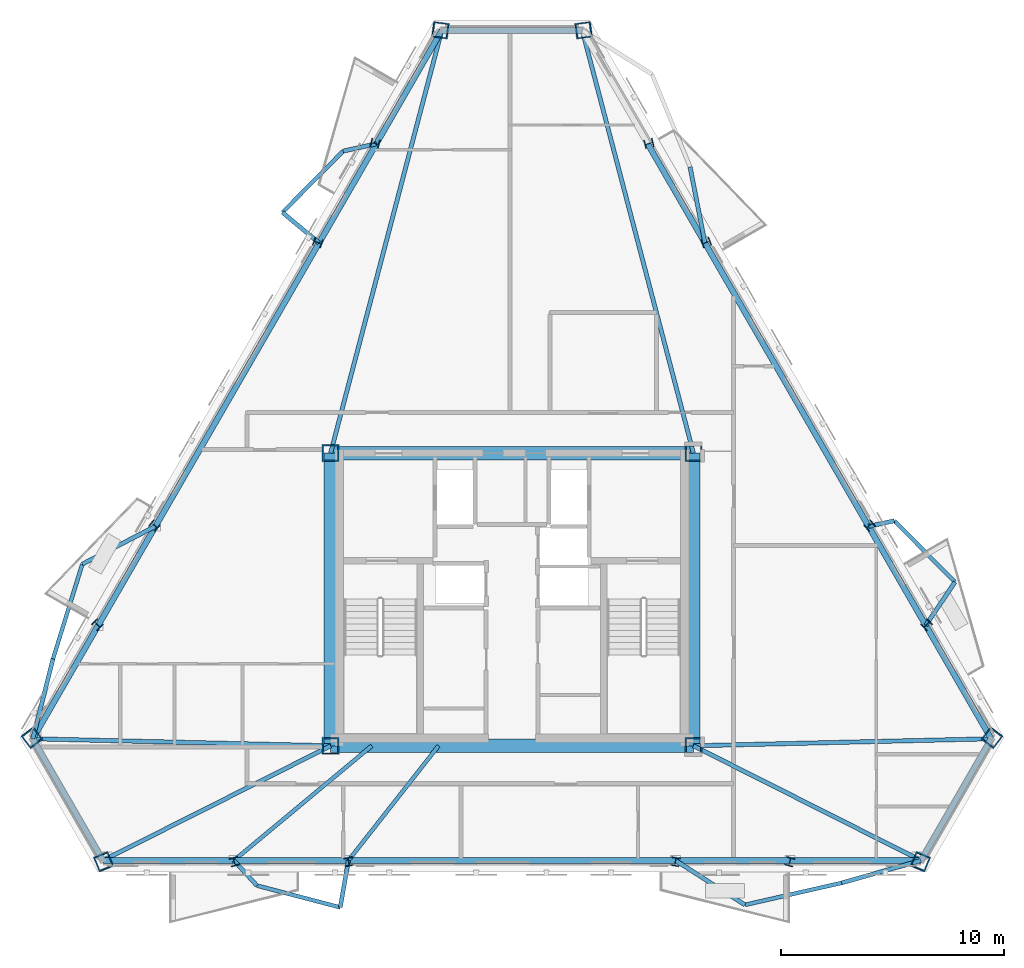
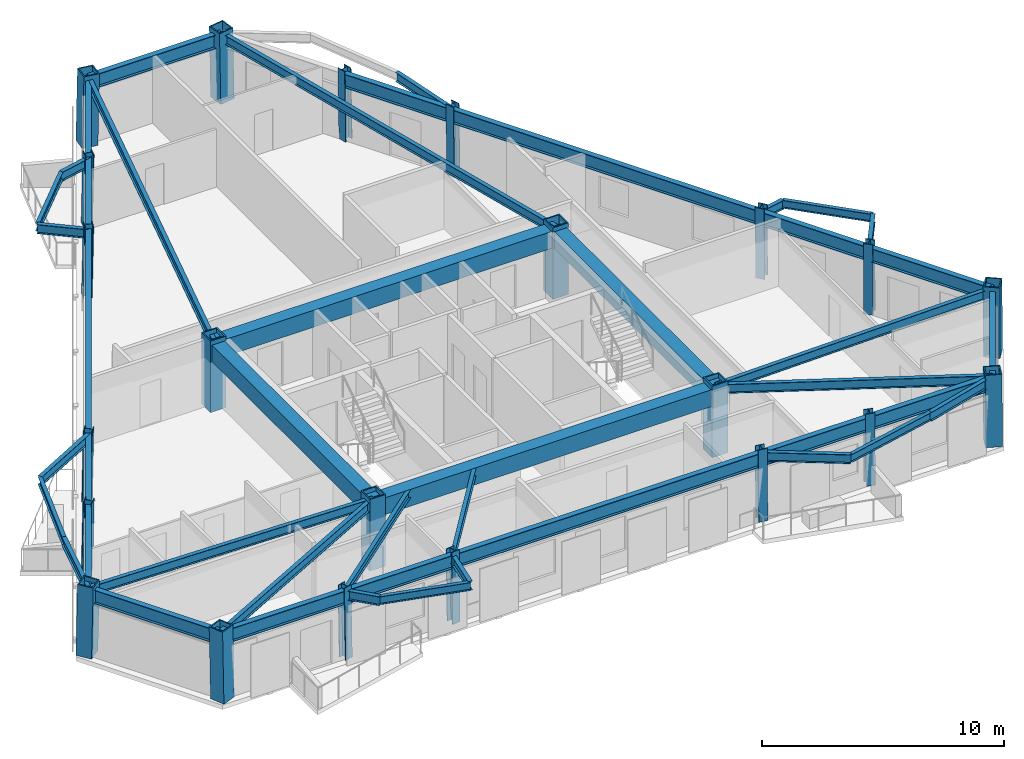
# One storey, part 1 of 9: 45 beams, 22 columns.
"""IFC4 building model written with IfcOpenShell, lengths in metres."""

import ifcopenshell
import ifcopenshell.guid

model = None  # the IFC model being written
_history = None  # IfcOwnerHistory: only IFC2X3 demands one
_inside = {}  # id of a spatial element -> (the spatial element, [elements in it])
_under = {}  # id of a project, library or spatial element -> (it, [spatial elements below it])
_declared = {}  # id of a project -> (the project, [libraries it declares])
_typed = {}  # id of a type object -> (the type object, [elements of that type])
_made_of = {}  # id of a material, layer set ... -> (it, [elements and type objects made of it])


def new_model(schema):
    """Start an empty IFC model of exactly this schema.

    Asked for "IFC4X3", IfcOpenShell would pick the latest addendum, in which some entities
    have other attributes; the version numbers below select the first issue.
    IFC2X3 requires an IfcOwnerHistory on every rooted entity: one is made here for all.
    """
    global model, _history
    if schema == "IFC4X3":
        model = ifcopenshell.file(schema_version=(4, 3, 0, 0))
    else:
        model = ifcopenshell.file(schema=schema)
    _inside.clear()
    _under.clear()
    _declared.clear()
    _typed.clear()
    _made_of.clear()
    _history = None
    if model.schema == "IFC2X3":
        org = make("IfcOrganization", Name="unknown")
        user = make(
            "IfcPersonAndOrganization",
            ThePerson=make("IfcPerson", FamilyName="unknown"),
            TheOrganization=org,
        )
        app = make(
            "IfcApplication",
            ApplicationDeveloper=org,
            Version="unknown",
            ApplicationFullName="unknown",
            ApplicationIdentifier="unknown",
        )
        _history = make(
            "IfcOwnerHistory",
            OwningUser=user,
            OwningApplication=app,
            ChangeAction="ADDED",
            CreationDate=0,
        )
    return model


def make(cls, **values):
    """One entity of the class cls with the attributes given. An attribute that is None is left unset."""
    return model.create_entity(
        cls, **{name: value for name, value in values.items() if value is not None}
    )


def rooted(cls, **values):
    """An entity with a GlobalId (a new one), such as an element, a storey or a relation."""
    return make(cls, GlobalId=ifcopenshell.guid.new(), OwnerHistory=_history, **values)


def si_unit(unit_type, name, prefix=None):
    """IfcSIUnit, for example si_unit("LENGTHUNIT", "METRE", prefix="MILLI")."""
    return make("IfcSIUnit", UnitType=unit_type, Prefix=prefix, Name=name)


def assignment(units):
    """IfcUnitAssignment: the units of a project."""
    return None if units is None else make("IfcUnitAssignment", Units=units)


def point(xyz):
    """IfcCartesianPoint."""
    return None if xyz is None else make("IfcCartesianPoint", Coordinates=xyz)


def direction(xyz):
    """IfcDirection."""
    return None if xyz is None else make("IfcDirection", DirectionRatios=xyz)


def frame(location, z_axis=None, x_axis=None):
    """IfcAxis2Placement3D, a coordinate frame: its origin and axes. An axis left out is left unset."""
    return make(
        "IfcAxis2Placement3D",
        Location=point(location),
        Axis=direction(z_axis),
        RefDirection=direction(x_axis),
    )


def frame_2d(location, x_axis=None):
    """IfcAxis2Placement2D, a coordinate frame in the plane: its origin and x axis."""
    return make(
        "IfcAxis2Placement2D", Location=point(location), RefDirection=direction(x_axis)
    )


def origin():
    """The frame at (0, 0, 0) with its axes left unset."""
    return frame((0.0, 0.0, 0.0))


def origin_2d():
    """The frame at (0, 0) in the plane with its x axis left unset."""
    return frame_2d((0.0, 0.0))


def place(relative_to, where):
    """IfcLocalPlacement: puts the frame where relative to a parent placement (None: the world)."""
    return make(
        "IfcLocalPlacement", PlacementRelTo=relative_to, RelativePlacement=where
    )


def context(
    kind, dimensions, precision=None, world=None, true_north=None, identifier=None
):
    """IfcGeometricRepresentationContext, for example the 3D "Model" context."""
    return make(
        "IfcGeometricRepresentationContext",
        ContextIdentifier=identifier,
        ContextType=kind,
        CoordinateSpaceDimension=dimensions,
        Precision=precision,
        WorldCoordinateSystem=world,
        TrueNorth=true_north,
    )


def subcontext(parent, identifier, kind, view, scale=None):
    """IfcGeometricRepresentationSubContext, for example "Body" below "Model"."""
    return make(
        "IfcGeometricRepresentationSubContext",
        ContextIdentifier=identifier,
        ContextType=kind,
        ParentContext=parent,
        TargetScale=scale,
        TargetView=view,
    )


def project(units=None, contexts=None):
    """IfcProject with its units and contexts."""
    return rooted(
        "IfcProject",
        Name="project",
        RepresentationContexts=contexts,
        UnitsInContext=assignment(units),
    )


def spatial(cls, under=None, at=None, **own):
    """A site, building, storey or space (cls), placed at a placement, below another one or the project."""
    s = rooted(cls, ObjectPlacement=at, **own)
    if under is not None:
        _under.setdefault(under.id(), (under, []))[1].append(s)
    return s


def profile(cls, at=None, kind="AREA", **sizes):
    """A parametric profile (cls). Its sizes go by their IFC names, for example OverallWidth=200.0."""
    return make(cls, ProfileType=kind, Position=at, **sizes)


def rectangle(**sizes):
    """IfcRectangleProfileDef."""
    return profile("IfcRectangleProfileDef", **sizes)


def hollow_rectangle(**sizes):
    """IfcRectangleHollowProfileDef."""
    return profile("IfcRectangleHollowProfileDef", **sizes)


def i_section(**sizes):
    """IfcIShapeProfileDef."""
    return profile("IfcIShapeProfileDef", **sizes)


def extrude(swept, where, along, depth):
    """IfcExtrudedAreaSolid: the profile swept, set in the frame where, extruded along a direction by depth."""
    return make(
        "IfcExtrudedAreaSolid",
        SweptArea=swept,
        Position=where,
        ExtrudedDirection=direction(along),
        Depth=depth,
    )


def shape(context_of_items, identifier, shape_type, items):
    """IfcShapeRepresentation: the items that make up one representation, for example the "Body"."""
    return make(
        "IfcShapeRepresentation",
        ContextOfItems=context_of_items,
        RepresentationIdentifier=identifier,
        RepresentationType=shape_type,
        Items=items,
    )


def material(Name=None, Category=None):
    """IfcMaterial."""
    return make("IfcMaterial", Name=Name, Category=Category)


def material_profile(
    of_material, cross_section, Name=None, Category=None, Priority=None
):
    """IfcMaterialProfile: a cross section and its material."""
    return make(
        "IfcMaterialProfile",
        Name=Name,
        Material=of_material,
        Profile=cross_section,
        Priority=Priority,
        Category=Category,
    )


def profile_set(profiles, Name=None, composite=None):
    """IfcMaterialProfileSet."""
    return make(
        "IfcMaterialProfileSet",
        Name=Name,
        MaterialProfiles=profiles,
        CompositeProfile=composite,
    )


def made_of(thing, what):
    """Note that an element or type object is made of a material, layer set ...; save() writes the relation."""
    if what is not None:
        _made_of.setdefault(what.id(), (what, []))[1].append(thing)
    return thing


def type_object(cls, material=None, **own):
    """A type object (cls), such as IfcWallType, which elements share."""
    return made_of(rooted(cls, **own), material)


def element(
    cls,
    number,
    at=None,
    inside=None,
    cuts=None,
    type_object=None,
    material=None,
    context=None,
    identifier="Body",
    shape_type=None,
    held_by="IfcProductDefinitionShape",
    body=None,
    shapes=None,
    **own,
):
    """One element of the class cls, such as IfcWall. Its Tag is "e" and its number.

    at: its placement. inside: the storey or other place that contains it. cuts: it is an
    opening in that element (IfcRelVoidsElement). A single representation is given by context,
    identifier, shape_type and body (its items); several are given by shapes. held_by: the class
    of the entity that holds the representations. save() writes the other relations.
    """
    e = rooted(cls, Tag="e%d" % number, ObjectPlacement=at, **own)
    if body is not None:
        shapes = [shape(context, identifier, shape_type, body)]
    if shapes is not None:
        e.Representation = make(held_by, Representations=shapes)
    if inside is not None:
        _inside.setdefault(inside.id(), (inside, []))[1].append(e)
    if cuts is not None:
        rooted(
            "IfcRelVoidsElement", RelatingBuildingElement=cuts, RelatedOpeningElement=e
        )
    if type_object is not None:
        _typed.setdefault(type_object.id(), (type_object, []))[1].append(e)
    return made_of(e, material)


def aggregate(whole, parts):
    """IfcRelAggregates: a whole, such as a stair, and the parts it consists of."""
    return rooted("IfcRelAggregates", RelatingObject=whole, RelatedObjects=parts)


def save(model, path):
    """Write the relations noted so far, then the file.

    IfcRelAggregates (storeys below a building ...), IfcRelContainedInSpatialStructure (elements
    in a storey), IfcRelDefinesByType, IfcRelAssociatesMaterial and IfcRelDeclares: one each for
    every whole, place, type object, material and project.
    """
    for whole, parts in _under.values():
        aggregate(whole, parts)
    for where, things in _inside.values():
        rooted(
            "IfcRelContainedInSpatialStructure",
            RelatedElements=things,
            RelatingStructure=where,
        )
    for kind, things in _typed.values():
        rooted("IfcRelDefinesByType", RelatedObjects=things, RelatingType=kind)
    for what, things in _made_of.values():
        rooted("IfcRelAssociatesMaterial", RelatedObjects=things, RelatingMaterial=what)
    for by, libraries in _declared.values():
        rooted("IfcRelDeclares", RelatingContext=by, RelatedDefinitions=libraries)
    model.write(path)


model = new_model("IFC4")

# Units and contexts
model_context = context("Model", 3, precision=1e-05, world=origin(), true_north=direction((0.0, 1.0)))
body_context = subcontext(model_context, "Body", "Model", "MODEL_VIEW")
ifc_project = project(units=[si_unit("LENGTHUNIT", "METRE"), si_unit("AREAUNIT", "SQUARE_METRE"), si_unit("VOLUMEUNIT", "CUBIC_METRE"), si_unit("PLANEANGLEUNIT", "RADIAN"), si_unit("MASSUNIT", "GRAM", prefix="KILO")], contexts=[model_context])

# Site, building, storey
site_placement = place(None, origin())
site = spatial("IfcSite", under=ifc_project, at=site_placement, CompositionType="ELEMENT")
building_placement = place(site_placement, origin())
building = spatial("IfcBuilding", under=site, at=building_placement, Name="Oramaril Tower", CompositionType="ELEMENT")
storey_placement = place(building_placement, frame((0.0, 0.0, 223.5)))
storey = spatial("IfcBuildingStorey", under=building, at=storey_placement, Name="L59", CompositionType="ELEMENT", Elevation=223.5)

# Columns
ifc_material_1 = material(Name="Steel ASTM A572 Gr 50", Category="steel")
ifc_material_profile_1 = material_profile(ifc_material_1, hollow_rectangle(XDim=0.75, YDim=0.75, WallThickness=0.06005859375, at=origin_2d()), Name="BOX750X750X60")
ifc_profile_set_1 = profile_set([ifc_material_profile_1], Name="Steel ASTM A572 Gr 50")
column_type_1 = type_object("IfcColumnType", Name="CT-CC4", PredefinedType="COLUMN", material=ifc_profile_set_1)
for number, where, z_axis, x_axis, name in (
    (1, (29.35009765625, 11.0, 0.0), (0.0, 0.0, 1.0), (1.0, 0.0, 0.0), "L59 Core Column CC-1"),
    (2, (45.64990234375, 11.0, 0.0), (0.0, 0.0, 1.0), (1.0, 0.0, 0.0), "L59 Core Column CC-2"),
    (3, (45.64990234375, 24.14990234375, 0.0), (0.0, 0.0, 1.0), (1.0, 0.0, 0.0), "L59 Core Column CC-3"),
    (4, (29.35009765625, 24.14990234375, 0.0), (0.0, 0.0, 1.0), (1.0, 0.0, 0.0), "L59 Core Column CC-4"),
):
    element("IfcColumn", number, at=place(storey_placement, frame(where, z_axis=z_axis, x_axis=x_axis)), inside=storey, type_object=column_type_1, Name=name, PredefinedType="COLUMN", context=body_context, shape_type="SweptSolid", body=[
        extrude(hollow_rectangle(XDim=0.75, YDim=0.75, WallThickness=0.06005859375, at=origin_2d()), origin(), (0.0, 0.0, 1.0), 3.60009765625),
    ])
ifc_material_2 = material(Name="Steel ASTM A572 Gr 50", Category="steel")
ifc_material_profile_2 = material_profile(ifc_material_2, hollow_rectangle(XDim=0.699951171875, YDim=0.699951171875, WallThickness=0.054931640625, at=origin_2d()), Name="BOX700X700X55")
ifc_profile_set_2 = profile_set([ifc_material_profile_2], Name="Steel ASTM A572 Gr 50")
column_type_2 = type_object("IfcColumnType", Name="CT-TC4", PredefinedType="COLUMN", material=ifc_profile_set_2)
for number, where, z_axis, x_axis, name in (
    (5, (15.929931640625, 11.37158203125, 0.00439453125), (0.01203111998, -0.015565686302, 0.999806462053), (0.791209010754, 0.611545829273, 0.0), "L59 Tube Column TC-01"),
    (6, (19.156005859375, 5.783935546875, 0.00439453125), (-0.007476964559, 0.018216604562, 0.999806106362), (-0.925106444757, -0.379707869117, 0.0), "L59 Tube Column TC-02"),
    (7, (55.843994140625, 5.783935546875, 0.00439453125), (0.007476964559, 0.018216604562, 0.999806106362), (-0.925106444757, 0.379707869117, 0.0), "L59 Tube Column TC-03"),
    (8, (59.070068359375, 11.37158203125, 0.00439453125), (-0.01203111998, -0.015565686302, 0.999806462053), (0.791209010754, -0.611545829273, 0.0), "L59 Tube Column TC-04"),
    (9, (40.72607421875, 43.144287109375, 0.00439453125), (-0.019508085261, -0.002582952055, 0.999806362736), (0.131258641047, -0.991348157385, 0.0), "L59 Tube Column TC-05"),
    (10, (34.27392578125, 43.144287109375, 0.00439453125), (0.019508085261, -0.002582952055, 0.999806362736), (0.131258641047, 0.991348157385, 0.0), "L59 Tube Column TC-06"),
):
    element("IfcColumn", number, at=place(storey_placement, frame(where, z_axis=z_axis, x_axis=x_axis)), inside=storey, type_object=column_type_2, Name=name, PredefinedType="COLUMN", context=body_context, shape_type="SweptSolid", body=[
        extrude(hollow_rectangle(XDim=0.699951171875, YDim=0.699951171875, WallThickness=0.054931640625, at=origin_2d()), origin(), (0.0, 0.0, 1.0), 3.591796875),
    ])
ifc_material_3 = material(Name="Steel ASTM A572 Gr 50", Category="steel")
ifc_material_profile_3 = material_profile(ifc_material_3, i_section(OverallWidth=0.39892578125, OverallDepth=0.385986328125, WebThickness=0.02099609375, FlangeThickness=0.033203125, at=origin_2d()), Name="W14X176")
ifc_profile_set_3 = profile_set([ifc_material_profile_3], Name="Steel ASTM A572 Gr 50")
column_type_3 = type_object("IfcColumnType", Name="CT-TF4", PredefinedType="COLUMN", material=ifc_profile_set_3)
for number, where, z_axis, x_axis, name in (
    (11, (25.026123046875, 5.783935546875, 0.00439453125), (-0.005098006638, 0.018216877053, 0.99982106185), (-0.963001329511, -0.269496640721, 0.0), "L59 Tube Column TC-07"),
    (12, (30.162353515625, 5.783935546875, 0.00439453125), (-0.00299085605, 0.018217032305, 0.999829582736), (-0.986789091699, -0.162010149383, 0.0), "L59 Tube Column TC-08"),
    (13, (44.837646484375, 5.783935546875, 0.00439453125), (0.00299085605, 0.018217032305, 0.999829582736), (-0.986789091699, 0.162010149383, 0.0), "L59 Tube Column TC-09"),
    (14, (49.973876953125, 5.783935546875, 0.00439453125), (0.005098006638, 0.018216877053, 0.99982106185), (-0.963001329511, 0.269496640721, 0.0), "L59 Tube Column TC-10"),
    (15, (56.135009765625, 16.455078125, 0.00439453125), (-0.01318686239, -0.01345875646, 0.999822468509), (0.714284970625, -0.699854971218, 0.0), "L59 Tube Column TC-11"),
    (16, (53.56689453125, 20.9033203125, 0.00439453125), (-0.014274542745, -0.011691530248, 0.999829758284), (0.633638927146, -0.773628922679, 0.0), "L59 Tube Column TC-12"),
    (17, (46.229248046875, 33.612548828125, 0.00439453125), (-0.017265397406, -0.006525504531, 0.999829647412), (0.353543800234, -0.935417971452, 0.0), "L59 Tube Column TC-13"),
    (18, (43.660888671875, 38.060791015625, 0.00439453125), (-0.018284864288, -0.00469016965, 0.999821817149), (0.248461984089, -0.968641648115, 0.0), "L59 Tube Column TC-14"),
    (19, (31.339111328125, 38.060791015625, 0.00439453125), (0.018284864288, -0.00469016965, 0.999821817149), (0.248461984089, 0.968641648115, 0.0), "L59 Tube Column TC-15"),
    (20, (28.770751953125, 33.612548828125, 0.00439453125), (0.017265397406, -0.006525504531, 0.999829647412), (0.353543800234, 0.935417971452, 0.0), "L59 Tube Column TC-16"),
):
    element("IfcColumn", number, at=place(storey_placement, frame(where, z_axis=z_axis, x_axis=x_axis)), inside=storey, type_object=column_type_3, Name=name, PredefinedType="COLUMN", context=body_context, shape_type="SweptSolid", body=[
        extrude(i_section(OverallWidth=0.39892578125, OverallDepth=0.385986328125, WebThickness=0.02099609375, FlangeThickness=0.033203125, at=origin_2d()), origin(), (0.0, 0.0, 1.0), 3.591796875),
    ])
column_1_placement = place(storey_placement, frame((21.43310546875, 20.9033203125, 0.00439453125), z_axis=(0.014274554057, -0.011623565446, 0.99983055056), x_axis=(0.63142634321, 0.775435860082, 0.0)))
element("IfcColumn", 21, at=column_1_placement, inside=storey, type_object=column_type_3, Name="L59 Tube Column TC-17", PredefinedType="COLUMN", context=body_context, shape_type="SweptSolid", body=[
    extrude(i_section(OverallWidth=0.39892578125, OverallDepth=0.385986328125, WebThickness=0.02099609375, FlangeThickness=0.033203125, at=origin_2d()), origin(), (0.0, 0.0, 1.0), 3.591552734375),
])
column_2_placement = place(storey_placement, frame((18.864990234375, 16.455078125, 0.00439453125), z_axis=(0.01318686239, -0.01345875646, 0.999822468509), x_axis=(0.714284970625, 0.699854971218, 0.0)))
element("IfcColumn", 22, at=column_2_placement, inside=storey, type_object=column_type_3, Name="L59 Tube Column TC-18", PredefinedType="COLUMN", context=body_context, shape_type="SweptSolid", body=[
    extrude(i_section(OverallWidth=0.39892578125, OverallDepth=0.385986328125, WebThickness=0.02099609375, FlangeThickness=0.033203125, at=origin_2d()), origin(), (0.0, 0.0, 1.0), 3.591796875),
])

# Beams
ifc_material_4 = material(Name="Steel ASTM A572 Gr 50", Category="steel")
ifc_material_profile_4 = material_profile(ifc_material_4, i_section(OverallWidth=0.19091796875, OverallDepth=0.45703125, WebThickness=0.009033203125, FlangeThickness=0.014404296875, at=origin_2d()), Name="W18X50")
ifc_profile_set_4 = profile_set([ifc_material_profile_4], Name="Steel ASTM A572 Gr 50")
beam_type_1 = type_object("IfcBeamType", Name="BT-BB1", PredefinedType="BEAM", material=ifc_profile_set_4)
beam_1_placement = place(storey_placement, frame((29.35009765625, 11.0, 3.151611328125), z_axis=(-0.99972167552, 0.023591767529, 0.0), x_axis=(-0.023591767529, -0.99972167552, 0.0)))
element("IfcBeam", 23, at=beam_1_placement, inside=storey, type_object=beam_type_1, Name="L59 Radial Primary Beam RB-01", PredefinedType="BEAM", context=body_context, shape_type="SweptSolid", body=[
    extrude(i_section(OverallWidth=0.19091796875, OverallDepth=0.45703125, WebThickness=0.009033203125, FlangeThickness=0.014404296875, at=origin_2d()), origin(), (0.0, 0.0, 1.0), 13.380615234375),
])
for number, where, z_axis, x_axis, name in (
    (24, (29.35009765625, 11.0, 3.151611328125), (-0.893019210963, -0.450018542785, 0.0), (0.450018542785, -0.893019210963, 0.0), "L59 Radial Primary Beam RB-02"),
    (25, (45.64990234375, 11.0, 3.151611328125), (0.893019210963, -0.450018542785, 0.0), (0.450018542785, 0.893019210963, 0.0), "L59 Radial Primary Beam RB-03"),
):
    element("IfcBeam", number, at=place(storey_placement, frame(where, z_axis=z_axis, x_axis=x_axis)), inside=storey, type_object=beam_type_1, Name=name, PredefinedType="BEAM", context=body_context, shape_type="SweptSolid", body=[
        extrude(i_section(OverallWidth=0.19091796875, OverallDepth=0.45703125, WebThickness=0.009033203125, FlangeThickness=0.014404296875, at=origin_2d()), origin(), (0.0, 0.0, 1.0), 11.4453125),
    ])
beam_2_placement = place(storey_placement, frame((45.64990234375, 11.0, 3.151611328125), z_axis=(0.99972167552, 0.023591767529, 0.0), x_axis=(-0.023591767529, 0.99972167552, 0.0)))
element("IfcBeam", 26, at=beam_2_placement, inside=storey, type_object=beam_type_1, Name="L59 Radial Primary Beam RB-04", PredefinedType="BEAM", context=body_context, shape_type="SweptSolid", body=[
    extrude(i_section(OverallWidth=0.19091796875, OverallDepth=0.45703125, WebThickness=0.009033203125, FlangeThickness=0.014404296875, at=origin_2d()), origin(), (0.0, 0.0, 1.0), 13.380615234375),
])
for number, where, z_axis, x_axis, name in (
    (27, (45.64990234375, 24.14990234375, 3.151611328125), (-0.254389230466, 0.967101917805, 0.0), (-0.967101917805, -0.254389230466, 0.0), "L59 Radial Primary Beam RB-05"),
    (28, (29.35009765625, 24.14990234375, 3.151611328125), (0.254389230466, 0.967101917805, 0.0), (-0.967101917805, 0.254389230466, 0.0), "L59 Radial Primary Beam RB-06"),
):
    element("IfcBeam", number, at=place(storey_placement, frame(where, z_axis=z_axis, x_axis=x_axis)), inside=storey, type_object=beam_type_1, Name=name, PredefinedType="BEAM", context=body_context, shape_type="SweptSolid", body=[
        extrude(i_section(OverallWidth=0.19091796875, OverallDepth=0.45703125, WebThickness=0.009033203125, FlangeThickness=0.014404296875, at=origin_2d()), origin(), (0.0, 0.0, 1.0), 19.630859375),
    ])
beam_3_placement = place(storey_placement, frame((25.0078125, 5.849365234375, 3.151611328125), z_axis=(0.675558432679, -0.737306451915, 0.0), x_axis=(0.737306451915, 0.675558432679, 0.0)))
element("IfcBeam", 29, at=beam_3_placement, inside=storey, type_object=beam_type_1, Name="L59 Balcony Column-Framed Cantilever 01.1", PredefinedType="BEAM", context=body_context, shape_type="SweptSolid", body=[
    extrude(i_section(OverallWidth=0.19091796875, OverallDepth=0.45703125, WebThickness=0.009033203125, FlangeThickness=0.014404296875, at=origin_2d()), origin(), (0.0, 0.0, 1.0), 1.530029296875),
])
beam_4_placement = place(storey_placement, frame((30.151611328125, 5.849365234375, 3.151611328125), z_axis=(-0.171148563919, -0.985245232959, 0.0), x_axis=(0.985245232959, -0.171148563919, 0.0)))
element("IfcBeam", 30, at=beam_4_placement, inside=storey, type_object=beam_type_1, Name="L59 Balcony Column-Framed Cantilever 01.2", PredefinedType="BEAM", context=body_context, shape_type="SweptSolid", body=[
    extrude(i_section(OverallWidth=0.19091796875, OverallDepth=0.45703125, WebThickness=0.009033203125, FlangeThickness=0.014404296875, at=origin_2d()), origin(), (0.0, 0.0, 1.0), 2.1396484375),
])
for number, where, z_axis, x_axis, name in (
    (31, (44.848388671875, 5.849365234375, 3.151611328125), (0.842082011131, -0.539349503133, 0.0), (0.539349503133, 0.842082011131, 0.0), "L59 Balcony Column-Framed Cantilever 02.1"),
    (32, (55.870849609375, 5.849365234375, 3.151611328125), (-0.962227899272, -0.272245238456, 0.0), (0.272245238456, -0.962227899272, 0.0), "L59 Balcony Column-Framed Cantilever 02.2"),
):
    element("IfcBeam", number, at=place(storey_placement, frame(where, z_axis=z_axis, x_axis=x_axis)), inside=storey, type_object=beam_type_1, Name=name, PredefinedType="BEAM", context=body_context, shape_type="SweptSolid", body=[
        extrude(i_section(OverallWidth=0.19091796875, OverallDepth=0.45703125, WebThickness=0.009033203125, FlangeThickness=0.014404296875, at=origin_2d()), origin(), (0.0, 0.0, 1.0), 3.699951171875),
    ])
beam_5_placement = place(storey_placement, frame((56.087646484375, 16.40673828125, 3.151611328125), z_axis=(0.557385037161, 0.83025412998, 0.0), x_axis=(-0.83025412998, 0.557385037161, 0.0)))
element("IfcBeam", 33, at=beam_5_placement, inside=storey, type_object=beam_type_1, Name="L59 Balcony Column-Framed Cantilever 03.1", PredefinedType="BEAM", context=body_context, shape_type="SweptSolid", body=[
    extrude(i_section(OverallWidth=0.19091796875, OverallDepth=0.45703125, WebThickness=0.009033203125, FlangeThickness=0.014404296875, at=origin_2d()), origin(), (0.0, 0.0, 1.0), 2.34765625),
])
beam_6_placement = place(storey_placement, frame((53.515625, 20.861328125, 3.151611328125), z_axis=(0.97805775802, 0.20833391941, 0.0), x_axis=(-0.20833391941, 0.97805775802, 0.0)))
element("IfcBeam", 34, at=beam_6_placement, inside=storey, type_object=beam_type_1, Name="L59 Balcony Column-Framed Cantilever 03.2", PredefinedType="BEAM", context=body_context, shape_type="SweptSolid", body=[
    extrude(i_section(OverallWidth=0.19091796875, OverallDepth=0.45703125, WebThickness=0.009033203125, FlangeThickness=0.014404296875, at=origin_2d()), origin(), (0.0, 0.0, 1.0), 1.18603515625),
])
beam_7_placement = place(storey_placement, frame((46.167236328125, 33.589111328125, 3.151611328125), z_axis=(-0.192201134305, 0.981355554308, 0.0), x_axis=(-0.981355554308, -0.192201134305, 0.0)))
element("IfcBeam", 35, at=beam_7_placement, inside=storey, type_object=beam_type_1, Name="L59 Balcony Column-Framed Cantilever 04.1", PredefinedType="BEAM", context=body_context, shape_type="SweptSolid", body=[
    extrude(i_section(OverallWidth=0.19091796875, OverallDepth=0.45703125, WebThickness=0.009033203125, FlangeThickness=0.014404296875, at=origin_2d()), origin(), (0.0, 0.0, 1.0), 3.479248046875),
])
beam_8_placement = place(storey_placement, frame((31.40478515625, 38.0439453125, 3.151611328125), z_axis=(-0.976314534866, -0.216356023742, 0.0), x_axis=(0.216356023742, -0.976314534866, 0.0)))
element("IfcBeam", 36, at=beam_8_placement, inside=storey, type_object=beam_type_1, Name="L59 Balcony Column-Framed Cantilever 05.1", PredefinedType="BEAM", context=body_context, shape_type="SweptSolid", body=[
    extrude(i_section(OverallWidth=0.19091796875, OverallDepth=0.45703125, WebThickness=0.009033203125, FlangeThickness=0.014404296875, at=origin_2d()), origin(), (0.0, 0.0, 1.0), 1.530029296875),
])
beam_9_placement = place(storey_placement, frame((28.832763671875, 33.589111328125, 3.151611328125), z_axis=(-0.76769726264, 0.640812697233, 0.0), x_axis=(-0.640812697233, -0.76769726264, 0.0)))
element("IfcBeam", 37, at=beam_9_placement, inside=storey, type_object=beam_type_1, Name="L59 Balcony Column-Framed Cantilever 05.2", PredefinedType="BEAM", context=body_context, shape_type="SweptSolid", body=[
    extrude(i_section(OverallWidth=0.19091796875, OverallDepth=0.45703125, WebThickness=0.009033203125, FlangeThickness=0.014404296875, at=origin_2d()), origin(), (0.0, 0.0, 1.0), 2.1396484375),
])
beam_10_placement = place(storey_placement, frame((21.484375, 20.861572265625, 3.151611328125), z_axis=(-0.888111776747, -0.459627536168, 0.0), x_axis=(0.459627536168, -0.888111776747, 0.0)))
element("IfcBeam", 38, at=beam_10_placement, inside=storey, type_object=beam_type_1, Name="L59 Balcony Column-Framed Cantilever 06.1", PredefinedType="BEAM", context=body_context, shape_type="SweptSolid", body=[
    extrude(i_section(OverallWidth=0.19091796875, OverallDepth=0.45703125, WebThickness=0.009033203125, FlangeThickness=0.014404296875, at=origin_2d()), origin(), (0.0, 0.0, 1.0), 3.7001953125),
])
beam_11_placement = place(storey_placement, frame((15.97314453125, 11.315673828125, 3.151611328125), z_axis=(0.245329243552, 0.969439818791, 0.0), x_axis=(-0.969439818791, 0.245329243552, 0.0)))
element("IfcBeam", 39, at=beam_11_placement, inside=storey, type_object=beam_type_1, Name="L59 Balcony Column-Framed Cantilever 06.2", PredefinedType="BEAM", context=body_context, shape_type="SweptSolid", body=[
    extrude(i_section(OverallWidth=0.19091796875, OverallDepth=0.45703125, WebThickness=0.009033203125, FlangeThickness=0.014404296875, at=origin_2d()), origin(), (0.0, 0.0, 1.0), 3.699951171875),
])
ifc_material_5 = material(Name="Concrete C50/60", Category="concrete")
ifc_material_profile_5 = material_profile(ifc_material_5, rectangle(XDim=0.60009765625, YDim=0.85009765625, at=origin_2d()), Name="CB600X850")
ifc_profile_set_5 = profile_set([ifc_material_profile_5], Name="Concrete C50/60")
beam_type_2 = type_object("IfcBeamType", Name="BT-CB2", PredefinedType="BEAM", material=ifc_profile_set_5)
beam_12_placement = place(storey_placement, frame((29.35009765625, 11.0, 2.955078125), z_axis=(1.0, 0.0, 0.0), x_axis=(0.0, 1.0, 0.0)))
element("IfcBeam", 40, at=beam_12_placement, inside=storey, type_object=beam_type_2, Name="L59 Core Header Beam CB-1", PredefinedType="BEAM", context=body_context, shape_type="SweptSolid", body=[
    extrude(rectangle(XDim=0.60009765625, YDim=0.85009765625, at=origin_2d()), origin(), (0.0, 0.0, 1.0), 16.2998046875),
])
beam_13_placement = place(storey_placement, frame((45.64990234375, 11.0, 2.955078125), z_axis=(0.0, 1.0, 0.0), x_axis=(-1.0, 0.0, 0.0)))
element("IfcBeam", 41, at=beam_13_placement, inside=storey, type_object=beam_type_2, Name="L59 Core Header Beam CB-2", PredefinedType="BEAM", context=body_context, shape_type="SweptSolid", body=[
    extrude(rectangle(XDim=0.60009765625, YDim=0.85009765625, at=origin_2d()), origin(), (0.0, 0.0, 1.0), 13.14990234375),
])
beam_14_placement = place(storey_placement, frame((45.64990234375, 24.14990234375, 2.955078125), z_axis=(-1.0, 0.0, 0.0), x_axis=(0.0, -1.0, 0.0)))
element("IfcBeam", 42, at=beam_14_placement, inside=storey, type_object=beam_type_2, Name="L59 Core Header Beam CB-3", PredefinedType="BEAM", context=body_context, shape_type="SweptSolid", body=[
    extrude(rectangle(XDim=0.60009765625, YDim=0.85009765625, at=origin_2d()), origin(), (0.0, 0.0, 1.0), 16.2998046875),
])
beam_15_placement = place(storey_placement, frame((29.35009765625, 24.14990234375, 2.955078125), z_axis=(0.0, -1.0, 0.0), x_axis=(1.0, 0.0, 0.0)))
element("IfcBeam", 43, at=beam_15_placement, inside=storey, type_object=beam_type_2, Name="L59 Core Header Beam CB-4", PredefinedType="BEAM", context=body_context, shape_type="SweptSolid", body=[
    extrude(rectangle(XDim=0.60009765625, YDim=0.85009765625, at=origin_2d()), origin(), (0.0, 0.0, 1.0), 13.14990234375),
])
ifc_material_6 = material(Name="Steel ASTM A572 Gr 50", Category="steel")
ifc_material_profile_6 = material_profile(ifc_material_6, i_section(OverallWidth=0.177978515625, OverallDepth=0.404052734375, WebThickness=0.007568359375, FlangeThickness=0.010986328125, at=origin_2d()), Name="W16X36")
ifc_profile_set_6 = profile_set([ifc_material_profile_6], Name="Steel ASTM A572 Gr 50")
beam_type_3 = type_object("IfcBeamType", Name="BT-SB1", PredefinedType="BEAM", material=ifc_profile_set_6)
beam_16_placement = place(storey_placement, frame((31.199951171875, 11.0, 3.177978515625), z_axis=(-0.768799872461, -0.639489449565, 0.0), x_axis=(0.639489449565, -0.768799872461, 0.0)))
element("IfcBeam", 44, at=beam_16_placement, inside=storey, type_object=beam_type_3, Name="L59 Secondary Floor Beam SB-01", PredefinedType="BEAM", context=body_context, shape_type="SweptSolid", body=[
    extrude(i_section(OverallWidth=0.177978515625, OverallDepth=0.404052734375, WebThickness=0.007568359375, FlangeThickness=0.010986328125, at=origin_2d()), origin(), (0.0, 0.0, 1.0), 8.05419921875),
])
beam_17_placement = place(storey_placement, frame((34.199951171875, 11.0, 3.177978515625), z_axis=(-0.617954856399, -0.78621358132, 0.0), x_axis=(0.78621358132, -0.617954856399, 0.0)))
element("IfcBeam", 45, at=beam_17_placement, inside=storey, type_object=beam_type_3, Name="L59 Secondary Floor Beam SB-02", PredefinedType="BEAM", context=body_context, shape_type="SweptSolid", body=[
    extrude(i_section(OverallWidth=0.177978515625, OverallDepth=0.404052734375, WebThickness=0.007568359375, FlangeThickness=0.010986328125, at=origin_2d()), origin(), (0.0, 0.0, 1.0), 6.55126953125),
])
beam_18_placement = place(storey_placement, frame((26.04150390625, 4.72119140625, 3.177978515625), z_axis=(0.967407922874, -0.253223045479, 0.0), x_axis=(0.253223045479, 0.967407922874, 0.0)))
element("IfcBeam", 46, at=beam_18_placement, inside=storey, type_object=beam_type_3, Name="L59 Balcony Edge Tie Beam 01", PredefinedType="BEAM", context=body_context, shape_type="SweptSolid", body=[
    extrude(i_section(OverallWidth=0.177978515625, OverallDepth=0.404052734375, WebThickness=0.007568359375, FlangeThickness=0.010986328125, at=origin_2d()), origin(), (0.0, 0.0, 1.0), 3.8701171875),
])
beam_19_placement = place(storey_placement, frame((47.964111328125, 3.853759765625, 3.177978515625), z_axis=(0.975110791401, 0.221718164556, 0.0), x_axis=(-0.221718164556, 0.975110791401, 0.0)))
element("IfcBeam", 47, at=beam_19_placement, inside=storey, type_object=beam_type_3, Name="L59 Balcony Edge Tie Beam 02", PredefinedType="BEAM", context=body_context, shape_type="SweptSolid", body=[
    extrude(i_section(OverallWidth=0.177978515625, OverallDepth=0.404052734375, WebThickness=0.007568359375, FlangeThickness=0.010986328125, at=origin_2d()), origin(), (0.0, 0.0, 1.0), 4.457275390625),
])
beam_20_placement = place(storey_placement, frame((57.396240234375, 18.35595703125, 3.177978515625), z_axis=(-0.702994511648, 0.71119527318, 0.0), x_axis=(-0.71119527318, -0.702994511648, 0.0)))
element("IfcBeam", 48, at=beam_20_placement, inside=storey, type_object=beam_type_3, Name="L59 Balcony Edge Tie Beam 03", PredefinedType="BEAM", context=body_context, shape_type="SweptSolid", body=[
    extrude(i_section(OverallWidth=0.177978515625, OverallDepth=0.404052734375, WebThickness=0.007568359375, FlangeThickness=0.010986328125, at=origin_2d()), origin(), (0.0, 0.0, 1.0), 3.8701171875),
])
beam_21_placement = place(storey_placement, frame((29.910888671875, 37.712890625, 3.177978515625), z_axis=(-0.702962973102, -0.711226446673, 0.0), x_axis=(0.711226446673, -0.702962973102, 0.0)))
element("IfcBeam", 49, at=beam_21_placement, inside=storey, type_object=beam_type_3, Name="L59 Balcony Edge Tie Beam 05", PredefinedType="BEAM", context=body_context, shape_type="SweptSolid", body=[
    extrude(i_section(OverallWidth=0.177978515625, OverallDepth=0.404052734375, WebThickness=0.007568359375, FlangeThickness=0.010986328125, at=origin_2d()), origin(), (0.0, 0.0, 1.0), 3.870361328125),
])
beam_22_placement = place(storey_placement, frame((18.1982421875, 19.160888671875, 3.177978515625), z_axis=(-0.295548056767, -0.955327873634, 0.0), x_axis=(0.955327873634, -0.295548056767, 0.0)))
element("IfcBeam", 50, at=beam_22_placement, inside=storey, type_object=beam_type_3, Name="L59 Balcony Edge Tie Beam 06", PredefinedType="BEAM", context=body_context, shape_type="SweptSolid", body=[
    extrude(i_section(OverallWidth=0.177978515625, OverallDepth=0.404052734375, WebThickness=0.007568359375, FlangeThickness=0.010986328125, at=origin_2d()), origin(), (0.0, 0.0, 1.0), 4.45751953125),
])
ifc_material_7 = material(Name="Steel ASTM A572 Gr 50", Category="steel")
ifc_material_profile_7 = material_profile(ifc_material_7, i_section(OverallWidth=0.257080078125, OverallDepth=0.693115234375, WebThickness=0.014404296875, FlangeThickness=0.023681640625, at=origin_2d()), Name="W27X114")
ifc_profile_set_7 = profile_set([ifc_material_profile_7], Name="Steel ASTM A572 Gr 50")
beam_type_4 = type_object("IfcBeamType", Name="BT-SP4", PredefinedType="SPANDREL", material=ifc_profile_set_7)
beam_23_placement = place(storey_placement, frame((15.97314453125, 11.315673828125, 3.033447265625), z_axis=(0.500003697889, -0.866023268797, 0.0), x_axis=(0.866023268797, 0.500003697889, 0.0)))
element("IfcBeam", 51, at=beam_23_placement, inside=storey, type_object=beam_type_4, Name="L59 Perimeter Spandrel 01", PredefinedType="SPANDREL", context=body_context, shape_type="SweptSolid", body=[
    extrude(i_section(OverallWidth=0.257080078125, OverallDepth=0.693115234375, WebThickness=0.014404296875, FlangeThickness=0.023681640625, at=origin_2d()), origin(), (0.0, 0.0, 1.0), 6.31201171875),
])
beam_24_placement = place(storey_placement, frame((19.129150390625, 5.849365234375, 3.033447265625), z_axis=(1.0, 0.0, 0.0), x_axis=(0.0, 1.0, 0.0)))
element("IfcBeam", 52, at=beam_24_placement, inside=storey, type_object=beam_type_4, Name="L59 Perimeter Spandrel 02", PredefinedType="SPANDREL", context=body_context, shape_type="SweptSolid", body=[
    extrude(i_section(OverallWidth=0.257080078125, OverallDepth=0.693115234375, WebThickness=0.014404296875, FlangeThickness=0.023681640625, at=origin_2d()), origin(), (0.0, 0.0, 1.0), 5.878662109375),
])
beam_25_placement = place(storey_placement, frame((25.0078125, 5.849365234375, 3.033447265625), z_axis=(1.0, 0.0, 0.0), x_axis=(0.0, 1.0, 0.0)))
element("IfcBeam", 53, at=beam_25_placement, inside=storey, type_object=beam_type_4, Name="L59 Perimeter Spandrel 03", PredefinedType="SPANDREL", context=body_context, shape_type="SweptSolid", body=[
    extrude(i_section(OverallWidth=0.257080078125, OverallDepth=0.693115234375, WebThickness=0.014404296875, FlangeThickness=0.023681640625, at=origin_2d()), origin(), (0.0, 0.0, 1.0), 5.143798828125),
])
beam_26_placement = place(storey_placement, frame((30.151611328125, 5.849365234375, 3.033447265625), z_axis=(1.0, 0.0, 0.0), x_axis=(0.0, 1.0, 0.0)))
element("IfcBeam", 54, at=beam_26_placement, inside=storey, type_object=beam_type_4, Name="L59 Perimeter Spandrel 04", PredefinedType="SPANDREL", context=body_context, shape_type="SweptSolid", body=[
    extrude(i_section(OverallWidth=0.257080078125, OverallDepth=0.693115234375, WebThickness=0.014404296875, FlangeThickness=0.023681640625, at=origin_2d()), origin(), (0.0, 0.0, 1.0), 14.69677734375),
])
beam_27_placement = place(storey_placement, frame((44.848388671875, 5.849365234375, 3.033447265625), z_axis=(1.0, 0.0, 0.0), x_axis=(0.0, 1.0, 0.0)))
element("IfcBeam", 55, at=beam_27_placement, inside=storey, type_object=beam_type_4, Name="L59 Perimeter Spandrel 05", PredefinedType="SPANDREL", context=body_context, shape_type="SweptSolid", body=[
    extrude(i_section(OverallWidth=0.257080078125, OverallDepth=0.693115234375, WebThickness=0.014404296875, FlangeThickness=0.023681640625, at=origin_2d()), origin(), (0.0, 0.0, 1.0), 5.143798828125),
])
beam_28_placement = place(storey_placement, frame((49.9921875, 5.849365234375, 3.033447265625), z_axis=(1.0, 0.0, 0.0), x_axis=(0.0, 1.0, 0.0)))
element("IfcBeam", 56, at=beam_28_placement, inside=storey, type_object=beam_type_4, Name="L59 Perimeter Spandrel 06", PredefinedType="SPANDREL", context=body_context, shape_type="SweptSolid", body=[
    extrude(i_section(OverallWidth=0.257080078125, OverallDepth=0.693115234375, WebThickness=0.014404296875, FlangeThickness=0.023681640625, at=origin_2d()), origin(), (0.0, 0.0, 1.0), 5.878662109375),
])
beam_29_placement = place(storey_placement, frame((55.870849609375, 5.849365234375, 3.033447265625), z_axis=(0.500003697889, 0.866023268797, 0.0), x_axis=(-0.866023268797, 0.500003697889, 0.0)))
element("IfcBeam", 57, at=beam_29_placement, inside=storey, type_object=beam_type_4, Name="L59 Perimeter Spandrel 07", PredefinedType="SPANDREL", context=body_context, shape_type="SweptSolid", body=[
    extrude(i_section(OverallWidth=0.257080078125, OverallDepth=0.693115234375, WebThickness=0.014404296875, FlangeThickness=0.023681640625, at=origin_2d()), origin(), (0.0, 0.0, 1.0), 6.31201171875),
])
beam_30_placement = place(storey_placement, frame((59.02685546875, 11.315673828125, 3.033447265625), z_axis=(-0.499984888139, 0.866034128446, 0.0), x_axis=(-0.866034128446, -0.499984888139, 0.0)))
element("IfcBeam", 58, at=beam_30_placement, inside=storey, type_object=beam_type_4, Name="L59 Perimeter Spandrel 08", PredefinedType="SPANDREL", context=body_context, shape_type="SweptSolid", body=[
    extrude(i_section(OverallWidth=0.257080078125, OverallDepth=0.693115234375, WebThickness=0.014404296875, FlangeThickness=0.023681640625, at=origin_2d()), origin(), (0.0, 0.0, 1.0), 5.878662109375),
])
beam_31_placement = place(storey_placement, frame((56.087646484375, 16.40673828125, 3.033447265625), z_axis=(-0.500023742813, 0.866011695431, 0.0), x_axis=(-0.866011695431, -0.500023742813, 0.0)))
element("IfcBeam", 59, at=beam_31_placement, inside=storey, type_object=beam_type_4, Name="L59 Perimeter Spandrel 09", PredefinedType="SPANDREL", context=body_context, shape_type="SweptSolid", body=[
    extrude(i_section(OverallWidth=0.257080078125, OverallDepth=0.693115234375, WebThickness=0.014404296875, FlangeThickness=0.023681640625, at=origin_2d()), origin(), (0.0, 0.0, 1.0), 5.143798828125),
])
beam_32_placement = place(storey_placement, frame((53.515625, 20.861328125, 3.033447265625), z_axis=(-0.499999980269, 0.866025415176, 0.0), x_axis=(-0.866025415176, -0.499999980269, 0.0)))
element("IfcBeam", 60, at=beam_32_placement, inside=storey, type_object=beam_type_4, Name="L59 Perimeter Spandrel 10", PredefinedType="SPANDREL", context=body_context, shape_type="SweptSolid", body=[
    extrude(i_section(OverallWidth=0.257080078125, OverallDepth=0.693115234375, WebThickness=0.014404296875, FlangeThickness=0.023681640625, at=origin_2d()), origin(), (0.0, 0.0, 1.0), 14.69677734375),
])
beam_33_placement = place(storey_placement, frame((46.167236328125, 33.589111328125, 3.033447265625), z_axis=(-0.500003190742, 0.866023561601, 0.0), x_axis=(-0.866023561601, -0.500003190742, 0.0)))
element("IfcBeam", 61, at=beam_33_placement, inside=storey, type_object=beam_type_4, Name="L59 Perimeter Spandrel 11", PredefinedType="SPANDREL", context=body_context, shape_type="SweptSolid", body=[
    extrude(i_section(OverallWidth=0.257080078125, OverallDepth=0.693115234375, WebThickness=0.014404296875, FlangeThickness=0.023681640625, at=origin_2d()), origin(), (0.0, 0.0, 1.0), 5.14404296875),
])
beam_34_placement = place(storey_placement, frame((40.656005859375, 43.135009765625, 3.033447265625), z_axis=(-1.0, 0.0, 0.0), x_axis=(0.0, -1.0, 0.0)))
element("IfcBeam", 62, at=beam_34_placement, inside=storey, type_object=beam_type_4, Name="L59 Perimeter Spandrel 13", PredefinedType="SPANDREL", context=body_context, shape_type="SweptSolid", body=[
    extrude(i_section(OverallWidth=0.257080078125, OverallDepth=0.693115234375, WebThickness=0.014404296875, FlangeThickness=0.023681640625, at=origin_2d()), origin(), (0.0, 0.0, 1.0), 6.31201171875),
])
beam_35_placement = place(storey_placement, frame((34.343994140625, 43.135009765625, 3.033447265625), z_axis=(-0.499984888139, -0.866034128446, 0.0), x_axis=(0.866034128446, -0.499984888139, 0.0)))
element("IfcBeam", 63, at=beam_35_placement, inside=storey, type_object=beam_type_4, Name="L59 Perimeter Spandrel 14", PredefinedType="SPANDREL", context=body_context, shape_type="SweptSolid", body=[
    extrude(i_section(OverallWidth=0.257080078125, OverallDepth=0.693115234375, WebThickness=0.014404296875, FlangeThickness=0.023681640625, at=origin_2d()), origin(), (0.0, 0.0, 1.0), 5.878662109375),
])
beam_36_placement = place(storey_placement, frame((31.40478515625, 38.0439453125, 3.033447265625), z_axis=(-0.500003190742, -0.866023561601, 0.0), x_axis=(0.866023561601, -0.500003190742, 0.0)))
element("IfcBeam", 64, at=beam_36_placement, inside=storey, type_object=beam_type_4, Name="L59 Perimeter Spandrel 15", PredefinedType="SPANDREL", context=body_context, shape_type="SweptSolid", body=[
    extrude(i_section(OverallWidth=0.257080078125, OverallDepth=0.693115234375, WebThickness=0.014404296875, FlangeThickness=0.023681640625, at=origin_2d()), origin(), (0.0, 0.0, 1.0), 5.14404296875),
])
beam_37_placement = place(storey_placement, frame((28.832763671875, 33.589111328125, 3.033447265625), z_axis=(-0.500007173496, -0.866021262125, 0.0), x_axis=(0.866021262125, -0.500007173496, 0.0)))
element("IfcBeam", 65, at=beam_37_placement, inside=storey, type_object=beam_type_4, Name="L59 Perimeter Spandrel 16", PredefinedType="SPANDREL", context=body_context, shape_type="SweptSolid", body=[
    extrude(i_section(OverallWidth=0.257080078125, OverallDepth=0.693115234375, WebThickness=0.014404296875, FlangeThickness=0.023681640625, at=origin_2d()), origin(), (0.0, 0.0, 1.0), 14.696533203125),
])
beam_38_placement = place(storey_placement, frame((21.484375, 20.861572265625, 3.033447265625), z_axis=(-0.500003190742, -0.866023561601, 0.0), x_axis=(0.866023561601, -0.500003190742, 0.0)))
element("IfcBeam", 66, at=beam_38_placement, inside=storey, type_object=beam_type_4, Name="L59 Perimeter Spandrel 17", PredefinedType="SPANDREL", context=body_context, shape_type="SweptSolid", body=[
    extrude(i_section(OverallWidth=0.257080078125, OverallDepth=0.693115234375, WebThickness=0.014404296875, FlangeThickness=0.023681640625, at=origin_2d()), origin(), (0.0, 0.0, 1.0), 5.14404296875),
])
beam_39_placement = place(storey_placement, frame((18.912353515625, 16.40673828125, 3.033447265625), z_axis=(-0.499984888139, -0.866034128446, 0.0), x_axis=(0.866034128446, -0.499984888139, 0.0)))
element("IfcBeam", 67, at=beam_39_placement, inside=storey, type_object=beam_type_4, Name="L59 Perimeter Spandrel 18", PredefinedType="SPANDREL", context=body_context, shape_type="SweptSolid", body=[
    extrude(i_section(OverallWidth=0.257080078125, OverallDepth=0.693115234375, WebThickness=0.014404296875, FlangeThickness=0.023681640625, at=origin_2d()), origin(), (0.0, 0.0, 1.0), 5.878662109375),
])

save(model, "model.ifc")
